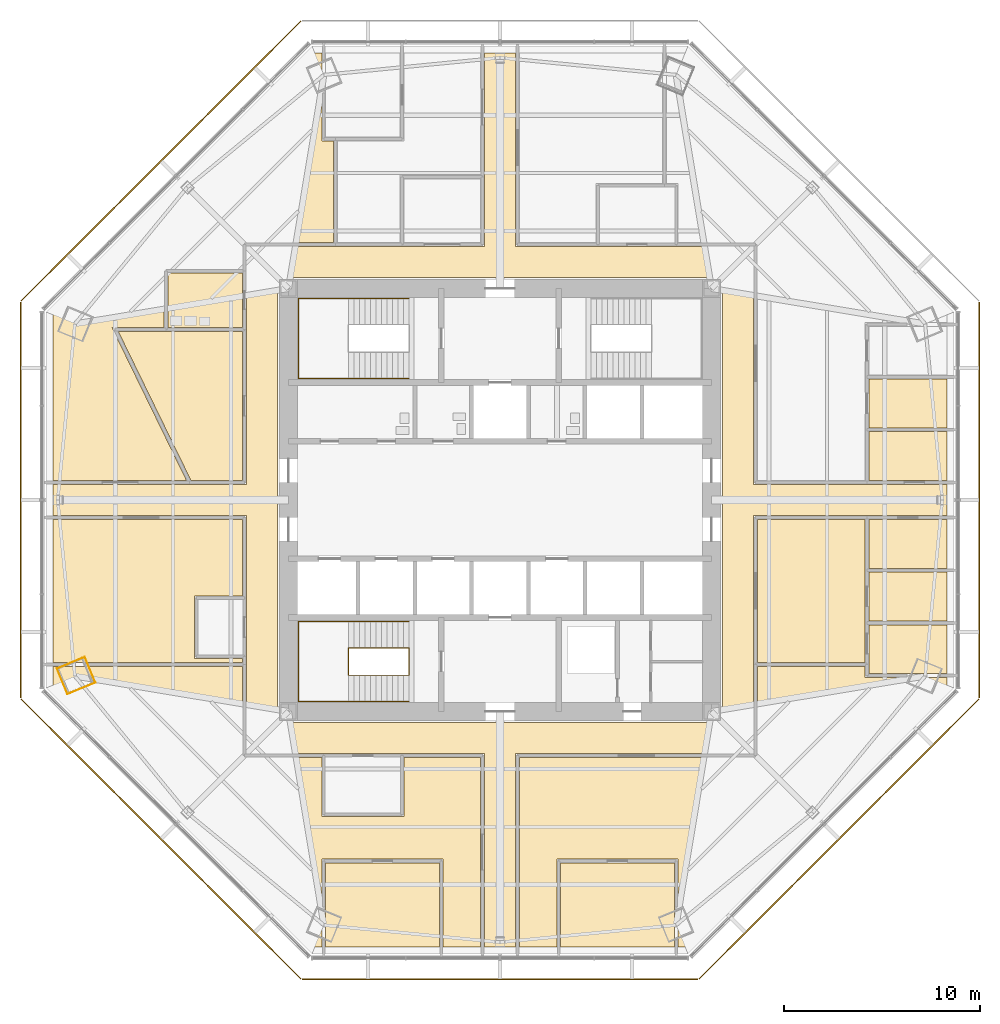
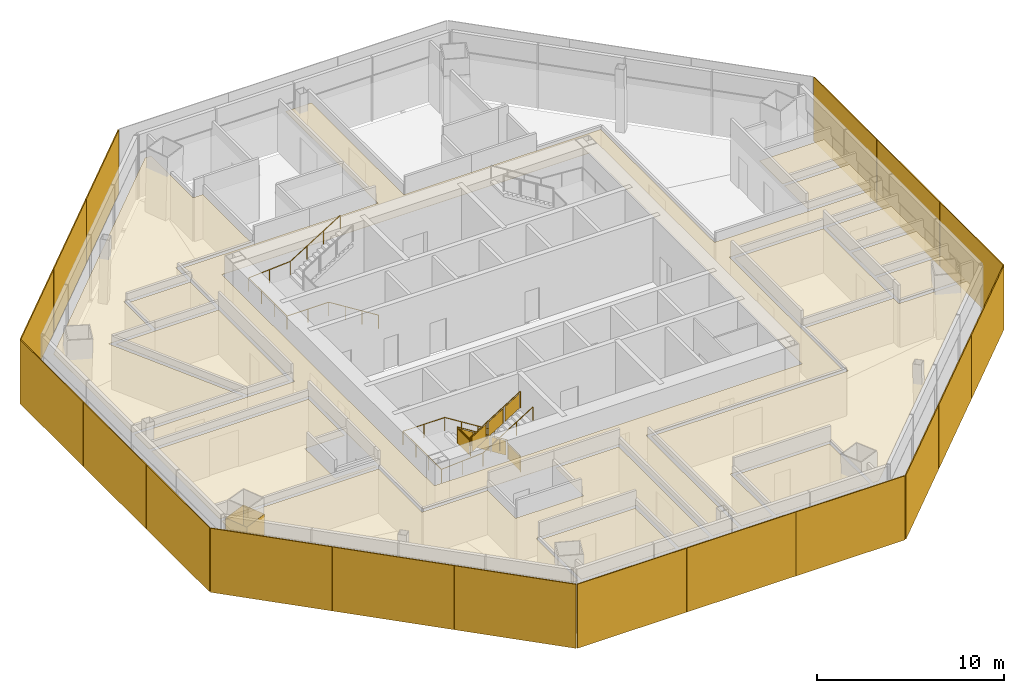
# One storey, part 13 of 15: 18 shading devices, 16 coverings, 3 railings.
"""IFC4 building model written with IfcOpenShell, lengths in metres."""

import ifcopenshell
import ifcopenshell.guid

model = None  # the IFC model being written
_history = None  # IfcOwnerHistory: only IFC2X3 demands one
_inside = {}  # id of a spatial element -> (the spatial element, [elements in it])
_under = {}  # id of a project, library or spatial element -> (it, [spatial elements below it])
_declared = {}  # id of a project -> (the project, [libraries it declares])
_typed = {}  # id of a type object -> (the type object, [elements of that type])
_made_of = {}  # id of a material, layer set ... -> (it, [elements and type objects made of it])


def new_model(schema):
    """Start an empty IFC model of exactly this schema.

    Asked for "IFC4X3", IfcOpenShell would pick the latest addendum, in which some entities
    have other attributes; the version numbers below select the first issue.
    IFC2X3 requires an IfcOwnerHistory on every rooted entity: one is made here for all.
    """
    global model, _history
    if schema == "IFC4X3":
        model = ifcopenshell.file(schema_version=(4, 3, 0, 0))
    else:
        model = ifcopenshell.file(schema=schema)
    _inside.clear()
    _under.clear()
    _declared.clear()
    _typed.clear()
    _made_of.clear()
    _history = None
    if model.schema == "IFC2X3":
        org = make("IfcOrganization", Name="unknown")
        user = make(
            "IfcPersonAndOrganization",
            ThePerson=make("IfcPerson", FamilyName="unknown"),
            TheOrganization=org,
        )
        app = make(
            "IfcApplication",
            ApplicationDeveloper=org,
            Version="unknown",
            ApplicationFullName="unknown",
            ApplicationIdentifier="unknown",
        )
        _history = make(
            "IfcOwnerHistory",
            OwningUser=user,
            OwningApplication=app,
            ChangeAction="ADDED",
            CreationDate=0,
        )
    return model


def make(cls, **values):
    """One entity of the class cls with the attributes given. An attribute that is None is left unset."""
    return model.create_entity(
        cls, **{name: value for name, value in values.items() if value is not None}
    )


def rooted(cls, **values):
    """An entity with a GlobalId (a new one), such as an element, a storey or a relation."""
    return make(cls, GlobalId=ifcopenshell.guid.new(), OwnerHistory=_history, **values)


def si_unit(unit_type, name, prefix=None):
    """IfcSIUnit, for example si_unit("LENGTHUNIT", "METRE", prefix="MILLI")."""
    return make("IfcSIUnit", UnitType=unit_type, Prefix=prefix, Name=name)


def assignment(units):
    """IfcUnitAssignment: the units of a project."""
    return None if units is None else make("IfcUnitAssignment", Units=units)


def point(xyz):
    """IfcCartesianPoint."""
    return None if xyz is None else make("IfcCartesianPoint", Coordinates=xyz)


def direction(xyz):
    """IfcDirection."""
    return None if xyz is None else make("IfcDirection", DirectionRatios=xyz)


def frame(location, z_axis=None, x_axis=None):
    """IfcAxis2Placement3D, a coordinate frame: its origin and axes. An axis left out is left unset."""
    return make(
        "IfcAxis2Placement3D",
        Location=point(location),
        Axis=direction(z_axis),
        RefDirection=direction(x_axis),
    )


def frame_2d(location, x_axis=None):
    """IfcAxis2Placement2D, a coordinate frame in the plane: its origin and x axis."""
    return make(
        "IfcAxis2Placement2D", Location=point(location), RefDirection=direction(x_axis)
    )


def origin():
    """The frame at (0, 0, 0) with its axes left unset."""
    return frame((0.0, 0.0, 0.0))


def origin_2d():
    """The frame at (0, 0) in the plane with its x axis left unset."""
    return frame_2d((0.0, 0.0))


def place(relative_to, where):
    """IfcLocalPlacement: puts the frame where relative to a parent placement (None: the world)."""
    return make(
        "IfcLocalPlacement", PlacementRelTo=relative_to, RelativePlacement=where
    )


def context(
    kind, dimensions, precision=None, world=None, true_north=None, identifier=None
):
    """IfcGeometricRepresentationContext, for example the 3D "Model" context."""
    return make(
        "IfcGeometricRepresentationContext",
        ContextIdentifier=identifier,
        ContextType=kind,
        CoordinateSpaceDimension=dimensions,
        Precision=precision,
        WorldCoordinateSystem=world,
        TrueNorth=true_north,
    )


def subcontext(parent, identifier, kind, view, scale=None):
    """IfcGeometricRepresentationSubContext, for example "Body" below "Model"."""
    return make(
        "IfcGeometricRepresentationSubContext",
        ContextIdentifier=identifier,
        ContextType=kind,
        ParentContext=parent,
        TargetScale=scale,
        TargetView=view,
    )


def project(units=None, contexts=None):
    """IfcProject with its units and contexts."""
    return rooted(
        "IfcProject",
        Name="project",
        RepresentationContexts=contexts,
        UnitsInContext=assignment(units),
    )


def spatial(cls, under=None, at=None, **own):
    """A site, building, storey or space (cls), placed at a placement, below another one or the project."""
    s = rooted(cls, ObjectPlacement=at, **own)
    if under is not None:
        _under.setdefault(under.id(), (under, []))[1].append(s)
    return s


def polyline(points):
    """IfcPolyline through the points."""
    return make("IfcPolyline", Points=[point(p) for p in points])


def profile(cls, at=None, kind="AREA", **sizes):
    """A parametric profile (cls). Its sizes go by their IFC names, for example OverallWidth=200.0."""
    return make(cls, ProfileType=kind, Position=at, **sizes)


def rectangle(**sizes):
    """IfcRectangleProfileDef."""
    return profile("IfcRectangleProfileDef", **sizes)


def circle(**sizes):
    """IfcCircleProfileDef."""
    return profile("IfcCircleProfileDef", **sizes)


def outline(outer, holes=None, kind="AREA"):
    """IfcArbitraryClosedProfileDef: a profile drawn as a closed curve; with holes, ...WithVoids."""
    if holes is None:
        return make("IfcArbitraryClosedProfileDef", ProfileType=kind, OuterCurve=outer)
    return make(
        "IfcArbitraryProfileDefWithVoids",
        ProfileType=kind,
        OuterCurve=outer,
        InnerCurves=holes,
    )


def extrude(swept, where, along, depth):
    """IfcExtrudedAreaSolid: the profile swept, set in the frame where, extruded along a direction by depth."""
    return make(
        "IfcExtrudedAreaSolid",
        SweptArea=swept,
        Position=where,
        ExtrudedDirection=direction(along),
        Depth=depth,
    )


def shape(context_of_items, identifier, shape_type, items):
    """IfcShapeRepresentation: the items that make up one representation, for example the "Body"."""
    return make(
        "IfcShapeRepresentation",
        ContextOfItems=context_of_items,
        RepresentationIdentifier=identifier,
        RepresentationType=shape_type,
        Items=items,
    )


def source(mapping_origin, context_of_items, identifier, shape_type, items):
    """IfcRepresentationMap: a shape defined once, which mapped items show again and again."""
    return make(
        "IfcRepresentationMap",
        MappingOrigin=mapping_origin,
        MappedRepresentation=shape(context_of_items, identifier, shape_type, items),
    )


def transform(
    local_origin,
    x_axis=None,
    y_axis=None,
    z_axis=None,
    scale=None,
    scale2=None,
    scale3=None,
    uniform=True,
):
    """IfcCartesianTransformationOperator3D, or its non-uniform kind. x_axis, y_axis, z_axis: its Axis1, 2, 3."""
    if uniform:
        return make(
            "IfcCartesianTransformationOperator3D",
            Axis1=direction(x_axis),
            Axis2=direction(y_axis),
            LocalOrigin=point(local_origin),
            Scale=scale,
            Axis3=direction(z_axis),
        )
    return make(
        "IfcCartesianTransformationOperator3DnonUniform",
        Axis1=direction(x_axis),
        Axis2=direction(y_axis),
        LocalOrigin=point(local_origin),
        Scale=scale,
        Axis3=direction(z_axis),
        Scale2=scale2,
        Scale3=scale3,
    )


def mapped(mapping_source, mapping_target):
    """IfcMappedItem: shows the shape of a source again, moved by a transform."""
    return make(
        "IfcMappedItem", MappingSource=mapping_source, MappingTarget=mapping_target
    )


def material(Name=None, Category=None):
    """IfcMaterial."""
    return make("IfcMaterial", Name=Name, Category=Category)


def layer(
    of_material, thickness, ventilated=None, Name=None, Category=None, Priority=None
):
    """IfcMaterialLayer: one layer of a wall or slab, of a material (None: an air gap)."""
    return make(
        "IfcMaterialLayer",
        Material=of_material,
        LayerThickness=thickness,
        IsVentilated=ventilated,
        Name=Name,
        Category=Category,
        Priority=Priority,
    )


def layer_set(layers, Name=None):
    """IfcMaterialLayerSet."""
    return make("IfcMaterialLayerSet", MaterialLayers=layers, LayerSetName=Name)


def made_of(thing, what):
    """Note that an element or type object is made of a material, layer set ...; save() writes the relation."""
    if what is not None:
        _made_of.setdefault(what.id(), (what, []))[1].append(thing)
    return thing


def type_object(cls, material=None, **own):
    """A type object (cls), such as IfcWallType, which elements share."""
    return made_of(rooted(cls, **own), material)


def type_shapes(of_type, sources):
    """Give a type object the sources (RepresentationMaps) that its elements show as mapped items."""
    of_type.RepresentationMaps = sources


def element(
    cls,
    number,
    at=None,
    inside=None,
    cuts=None,
    type_object=None,
    material=None,
    context=None,
    identifier="Body",
    shape_type=None,
    held_by="IfcProductDefinitionShape",
    body=None,
    shapes=None,
    **own,
):
    """One element of the class cls, such as IfcWall. Its Tag is "e" and its number.

    at: its placement. inside: the storey or other place that contains it. cuts: it is an
    opening in that element (IfcRelVoidsElement). A single representation is given by context,
    identifier, shape_type and body (its items); several are given by shapes. held_by: the class
    of the entity that holds the representations. save() writes the other relations.
    """
    e = rooted(cls, Tag="e%d" % number, ObjectPlacement=at, **own)
    if body is not None:
        shapes = [shape(context, identifier, shape_type, body)]
    if shapes is not None:
        e.Representation = make(held_by, Representations=shapes)
    if inside is not None:
        _inside.setdefault(inside.id(), (inside, []))[1].append(e)
    if cuts is not None:
        rooted(
            "IfcRelVoidsElement", RelatingBuildingElement=cuts, RelatedOpeningElement=e
        )
    if type_object is not None:
        _typed.setdefault(type_object.id(), (type_object, []))[1].append(e)
    return made_of(e, material)


def aggregate(whole, parts):
    """IfcRelAggregates: a whole, such as a stair, and the parts it consists of."""
    return rooted("IfcRelAggregates", RelatingObject=whole, RelatedObjects=parts)


def save(model, path):
    """Write the relations noted so far, then the file.

    IfcRelAggregates (storeys below a building ...), IfcRelContainedInSpatialStructure (elements
    in a storey), IfcRelDefinesByType, IfcRelAssociatesMaterial and IfcRelDeclares: one each for
    every whole, place, type object, material and project.
    """
    for whole, parts in _under.values():
        aggregate(whole, parts)
    for where, things in _inside.values():
        rooted(
            "IfcRelContainedInSpatialStructure",
            RelatedElements=things,
            RelatingStructure=where,
        )
    for kind, things in _typed.values():
        rooted("IfcRelDefinesByType", RelatedObjects=things, RelatingType=kind)
    for what, things in _made_of.values():
        rooted("IfcRelAssociatesMaterial", RelatedObjects=things, RelatingMaterial=what)
    for by, libraries in _declared.values():
        rooted("IfcRelDeclares", RelatingContext=by, RelatedDefinitions=libraries)
    model.write(path)


model = new_model("IFC4")

# Units and contexts
model_context = context("Model", 3, precision=1e-05, world=origin(), true_north=direction((0.0, 1.0)))
body_context = subcontext(model_context, "Body", "Model", "MODEL_VIEW")
ifc_project = project(units=[si_unit("LENGTHUNIT", "METRE"), si_unit("AREAUNIT", "SQUARE_METRE"), si_unit("VOLUMEUNIT", "CUBIC_METRE"), si_unit("PLANEANGLEUNIT", "RADIAN"), si_unit("MASSUNIT", "GRAM", prefix="KILO")], contexts=[model_context])

# Site, building, storey
site_placement = place(None, origin())
site = spatial("IfcSite", under=ifc_project, at=site_placement, CompositionType="ELEMENT")
building_placement = place(site_placement, origin())
building = spatial("IfcBuilding", under=site, at=building_placement, Name="Mashrafa Tower", CompositionType="ELEMENT")
storey_placement = place(building_placement, frame((0.0, 0.0, 163.800048828125)))
storey = spatial("IfcBuildingStorey", under=building, at=storey_placement, Name="L37", CompositionType="ELEMENT", Elevation=163.800048828125)

# Covering
ifc_material_1 = material(Name="Gypsum board")
ifc_layer_1 = layer(ifc_material_1, 0.014892578125)
ifc_layer_set_1 = layer_set([ifc_layer_1], Name="Column casing plasterboard 15")
covering_type_1 = type_object("IfcCoveringType", Name="Column casing plasterboard 15", PredefinedType="CLADDING", material=ifc_layer_set_1)
covering_1_placement = place(storey_placement, origin())
element("IfcCovering", 1, at=covering_1_placement, inside=storey, type_object=covering_type_1, Name="Column casing L37-002", PredefinedType="CLADDING", context=body_context, shape_type="SweptSolid", body=[
    extrude(outline(polyline([(-22.63720703125, -8.602783203125), (-21.329345703125, -8.06103515625), (-21.19677734375, -8.006103515625), (-20.6494140625, -9.3271484375), (-21.95751953125, -9.868896484375), (-22.090087890625, -9.923828125), (-22.63720703125, -8.602783203125)]), holes=[polyline([(-21.963134765625, -9.85498046875), (-20.669189453125, -9.319091796875), (-21.204833984375, -8.025634765625), (-21.32373046875, -8.074951171875), (-22.61767578125, -8.61083984375), (-22.08203125, -9.904296875), (-21.963134765625, -9.85498046875)])]), origin(), (0.0, 0.0, 1.0), 3.097900390625),
])

# Railings
ifc_material_2 = material(Name="Steel guard with glass infill", Category="steel")
railing_type_1 = type_object("IfcRailingType", Name="Stair guard 1100", PredefinedType="GUARDRAIL", material=ifc_material_2)
railing_1_placement = place(storey_placement, frame((-4.64990234375, -8.949951171875, 0.0)))
element("IfcRailing", 2, at=railing_1_placement, inside=storey, type_object=railing_type_1, Name="Stair S3 guard L37", PredefinedType="GUARDRAIL", context=body_context, shape_type="SweptSolid", body=[
    extrude(circle(Radius=0.02392578125, at=origin_2d()), frame((0.0, 0.0, 1.076171875), z_axis=(0.0, 1.0, 0.0), x_axis=(-1.0, 0.0, 0.0)), (0.0, 0.0, 1.0), 1.39990234375),
    extrude(circle(Radius=0.02392578125, at=origin_2d()), frame((0.0, 1.39990234375, 1.076171875), z_axis=(0.0, 0.0, 1.0), x_axis=(1.0, 0.0, 0.0)), (0.0, 0.0, 1.0), 0.175048828125),
    extrude(circle(Radius=0.02392578125, at=origin_2d()), frame((0.0, 1.39990234375, 1.2509765625), z_axis=(-0.848028513186, 0.0, 0.529950602248), x_axis=(0.0, -1.0, 0.0)), (0.0, 0.0, 1.0), 3.632080078125),
    extrude(circle(Radius=0.02392578125, at=origin_2d()), frame((-3.080078125, 1.39990234375, 3.17578125), z_axis=(0.0, -1.0, 0.0), x_axis=(1.0, 0.0, 0.0)), (0.0, 0.0, 1.0), 1.39990234375),
    extrude(circle(Radius=0.02392578125, at=origin_2d()), frame((-3.080078125, 0.0, 3.17578125), z_axis=(0.0, 0.0, 1.0), x_axis=(1.0, 0.0, 0.0)), (0.0, 0.0, 1.0), 0.175048828125),
    extrude(circle(Radius=0.02392578125, at=origin_2d()), frame((-3.080078125, 0.0, 3.35107421875), z_axis=(0.847998304005, 0.0, 0.529998940003), x_axis=(0.0, 1.0, 0.0)), (0.0, 0.0, 1.0), 3.632080078125),
    extrude(circle(Radius=0.02099609375, at=origin_2d()), origin(), (0.0, 0.0, 1.0), 1.052001953125),
    extrude(circle(Radius=0.02099609375, at=origin_2d()), frame((0.0, 1.39990234375, 0.0)), (0.0, 0.0, 1.0), 1.052001953125),
    extrude(circle(Radius=0.02099609375, at=origin_2d()), frame((0.0, 1.39990234375, 0.175048828125)), (0.0, 0.0, 1.0), 1.052001953125),
    extrude(circle(Radius=0.02099609375, at=origin_2d()), frame((-1.026611328125, 1.39990234375, 0.816650390625)), (0.0, 0.0, 1.0), 1.052001953125),
    extrude(circle(Radius=0.02099609375, at=origin_2d()), frame((-2.053466796875, 1.39990234375, 1.458251953125)), (0.0, 0.0, 1.0), 1.052001953125),
    extrude(circle(Radius=0.02099609375, at=origin_2d()), frame((-3.080078125, 1.39990234375, 2.099853515625)), (0.0, 0.0, 1.0), 1.052001953125),
    extrude(circle(Radius=0.02099609375, at=origin_2d()), frame((-3.080078125, 0.0, 2.099853515625)), (0.0, 0.0, 1.0), 1.052001953125),
    extrude(circle(Radius=0.02099609375, at=origin_2d()), frame((-3.080078125, 0.0, 2.27490234375)), (0.0, 0.0, 1.0), 1.052001953125),
    extrude(circle(Radius=0.02099609375, at=origin_2d()), frame((-2.053466796875, 0.0, 2.91650390625)), (0.0, 0.0, 1.0), 1.052001953125),
    extrude(circle(Radius=0.02099609375, at=origin_2d()), frame((-1.026611328125, 0.0, 3.558349609375)), (0.0, 0.0, 1.0), 1.052001953125),
    extrude(circle(Radius=0.02099609375, at=origin_2d()), frame((0.0, 0.0, 4.199951171875)), (0.0, 0.0, 1.0), 1.052001953125),
    extrude(outline(polyline([(0.071044921875, 0.050048828125), (1.328857421875, 0.050048828125), (1.328857421875, 1.001953125), (0.071044921875, 1.001953125), (0.071044921875, 0.050048828125)])), frame((0.006103515625, 0.0, 0.0), z_axis=(1.0, 0.0, 0.0), x_axis=(0.0, 1.0, 0.0)), (0.0, 0.0, 1.0), 0.011962890625),
    extrude(outline(polyline([(0.071044921875, 0.094482421875), (0.955810546875, 0.647216796875), (0.955810546875, 1.59912109375), (0.071044921875, 1.04638671875), (0.071044921875, 0.094482421875)])), frame((0.0, 1.406005859375, 0.175048828125), z_axis=(0.0, 1.0, 0.0), x_axis=(-1.0, 0.0, 0.0)), (0.0, 0.0, 1.0), 0.011962890625),
    extrude(outline(polyline([(1.09765625, 0.736083984375), (1.982421875, 1.288818359375), (1.982421875, 2.24072265625), (1.09765625, 1.68798828125), (1.09765625, 0.736083984375)])), frame((0.0, 1.406005859375, 0.175048828125), z_axis=(0.0, 1.0, 0.0), x_axis=(-1.0, 0.0, 0.0)), (0.0, 0.0, 1.0), 0.011962890625),
    extrude(outline(polyline([(2.124267578125, 1.377685546875), (3.009033203125, 1.930419921875), (3.009033203125, 2.88232421875), (2.124267578125, 2.32958984375), (2.124267578125, 1.377685546875)])), frame((0.0, 1.406005859375, 0.175048828125), z_axis=(0.0, 1.0, 0.0), x_axis=(-1.0, 0.0, 0.0)), (0.0, 0.0, 1.0), 0.011962890625),
    extrude(outline(polyline([(0.071044921875, 0.050048828125), (1.328857421875, 0.050048828125), (1.328857421875, 1.001953125), (0.071044921875, 1.001953125), (0.071044921875, 0.050048828125)])), frame((-3.086181640625, 1.39990234375, 2.099853515625), z_axis=(-1.0, 0.0, 0.0), x_axis=(0.0, -1.0, 0.0)), (0.0, 0.0, 1.0), 0.011962890625),
    extrude(outline(polyline([(0.071044921875, 0.094482421875), (0.955810546875, 0.647216796875), (0.955810546875, 1.599365234375), (0.071044921875, 1.04638671875), (0.071044921875, 0.094482421875)])), frame((-3.080078125, -0.006103515625, 2.27490234375), z_axis=(0.0, -1.0, 0.0), x_axis=(1.0, 0.0, 0.0)), (0.0, 0.0, 1.0), 0.011962890625),
    extrude(outline(polyline([(1.09765625, 0.736083984375), (1.982421875, 1.2890625), (1.982421875, 2.240966796875), (1.09765625, 1.68798828125), (1.09765625, 0.736083984375)])), frame((-3.080078125, -0.006103515625, 2.27490234375), z_axis=(0.0, -1.0, 0.0), x_axis=(1.0, 0.0, 0.0)), (0.0, 0.0, 1.0), 0.011962890625),
    extrude(outline(polyline([(2.124267578125, 1.377685546875), (3.009033203125, 1.9306640625), (3.009033203125, 2.882568359375), (2.124267578125, 2.329833984375), (2.124267578125, 1.377685546875)])), frame((-3.080078125, -0.006103515625, 2.27490234375), z_axis=(0.0, -1.0, 0.0), x_axis=(1.0, 0.0, 0.0)), (0.0, 0.0, 1.0), 0.011962890625),
])
ifc_material_3 = material(Name="Steel", Category="steel")
railing_type_2 = type_object("IfcRailingType", Name="Stair handrail 900", PredefinedType="HANDRAIL", material=ifc_material_3)
railing_2_placement = place(storey_placement, frame((-4.64990234375, 6.199951171875, 0.175048828125)))
element("IfcRailing", 3, at=railing_2_placement, inside=storey, type_object=railing_type_2, Name="Stair S1 handrail L37", PredefinedType="HANDRAIL", context=body_context, shape_type="SweptSolid", body=[
    extrude(circle(Radius=0.02392578125, at=origin_2d()), frame((0.0, 0.0, 0.8759765625), z_axis=(-0.848028513186, 0.0, 0.529950602248), x_axis=(0.0, -1.0, 0.0)), (0.0, 0.0, 1.0), 3.632080078125),
    extrude(circle(Radius=0.02392578125, at=origin_2d()), frame((-3.080078125, 0.0, 2.80078125), z_axis=(-1.0, 0.0, 0.0), x_axis=(0.0, -1.0, 0.0)), (0.0, 0.0, 1.0), 2.570068359375),
    extrude(circle(Radius=0.02392578125, at=origin_2d()), frame((-5.650146484375, 0.0, 2.80078125), z_axis=(0.0, 1.0, 0.0), x_axis=(-1.0, 0.0, 0.0)), (0.0, 0.0, 1.0), 4.10009765625),
    extrude(circle(Radius=0.02392578125, at=origin_2d()), frame((-5.650146484375, 4.10009765625, 2.80078125), z_axis=(0.997688514158, 0.0, 0.067953136188), x_axis=(0.0, 1.0, 0.0)), (0.0, 0.0, 1.0), 2.575927734375),
    extrude(circle(Radius=0.02392578125, at=origin_2d()), frame((-3.080078125, 4.10009765625, 2.9755859375), z_axis=(0.847998304005, 0.0, 0.529998940003), x_axis=(0.0, 1.0, 0.0)), (0.0, 0.0, 1.0), 3.632080078125),
    extrude(circle(Radius=0.02099609375, at=origin_2d()), origin(), (0.0, 0.0, 1.0), 0.851806640625),
    extrude(circle(Radius=0.02099609375, at=origin_2d()), frame((-1.026611328125, 0.0, 0.6416015625)), (0.0, 0.0, 1.0), 0.851806640625),
    extrude(circle(Radius=0.02099609375, at=origin_2d()), frame((-2.053466796875, 0.0, 1.283203125)), (0.0, 0.0, 1.0), 0.851806640625),
    extrude(circle(Radius=0.02099609375, at=origin_2d()), frame((-3.080078125, 0.0, 1.9248046875)), (0.0, 0.0, 1.0), 0.851806640625),
    extrude(circle(Radius=0.02099609375, at=origin_2d()), frame((-4.365234375, 0.0, 1.9248046875)), (0.0, 0.0, 1.0), 0.851806640625),
    extrude(circle(Radius=0.02099609375, at=origin_2d()), frame((-5.650146484375, 0.0, 1.9248046875)), (0.0, 0.0, 1.0), 0.851806640625),
    extrude(circle(Radius=0.02099609375, at=origin_2d()), frame((-5.650146484375, 1.36669921875, 1.9248046875)), (0.0, 0.0, 1.0), 0.851806640625),
    extrude(circle(Radius=0.02099609375, at=origin_2d()), frame((-5.650146484375, 2.7333984375, 1.9248046875)), (0.0, 0.0, 1.0), 0.851806640625),
    extrude(circle(Radius=0.02099609375, at=origin_2d()), frame((-5.650146484375, 4.10009765625, 1.9248046875)), (0.0, 0.0, 1.0), 0.851806640625),
    extrude(circle(Radius=0.02099609375, at=origin_2d()), frame((-4.365234375, 4.10009765625, 2.01220703125)), (0.0, 0.0, 1.0), 0.851806640625),
    extrude(circle(Radius=0.02099609375, at=origin_2d()), frame((-3.080078125, 4.10009765625, 2.099853515625)), (0.0, 0.0, 1.0), 0.851806640625),
    extrude(circle(Radius=0.02099609375, at=origin_2d()), frame((-2.053466796875, 4.10009765625, 2.741455078125)), (0.0, 0.0, 1.0), 0.851806640625),
    extrude(circle(Radius=0.02099609375, at=origin_2d()), frame((-1.026611328125, 4.10009765625, 3.38330078125)), (0.0, 0.0, 1.0), 0.851806640625),
    extrude(circle(Radius=0.02099609375, at=origin_2d()), frame((0.0, 4.10009765625, 4.02490234375)), (0.0, 0.0, 1.0), 0.851806640625),
])
railing_3_placement = place(storey_placement, frame((-4.64990234375, -6.199951171875, 0.175048828125)))
element("IfcRailing", 4, at=railing_3_placement, inside=storey, type_object=railing_type_2, Name="Stair S3 handrail L37", PredefinedType="HANDRAIL", context=body_context, shape_type="SweptSolid", body=[
    extrude(circle(Radius=0.02392578125, at=origin_2d()), frame((0.0, 0.0, 0.8759765625), z_axis=(-0.848028513186, 0.0, 0.529950602248), x_axis=(0.0, -1.0, 0.0)), (0.0, 0.0, 1.0), 3.632080078125),
    extrude(circle(Radius=0.02392578125, at=origin_2d()), frame((-3.080078125, 0.0, 2.80078125), z_axis=(-1.0, 0.0, 0.0), x_axis=(0.0, -1.0, 0.0)), (0.0, 0.0, 1.0), 2.570068359375),
    extrude(circle(Radius=0.02392578125, at=origin_2d()), frame((-5.650146484375, 0.0, 2.80078125), z_axis=(0.0, -1.0, 0.0), x_axis=(1.0, 0.0, 0.0)), (0.0, 0.0, 1.0), 4.10009765625),
    extrude(circle(Radius=0.02392578125, at=origin_2d()), frame((-5.650146484375, -4.10009765625, 2.80078125), z_axis=(0.997688514158, 0.0, 0.067953136188), x_axis=(0.0, 1.0, 0.0)), (0.0, 0.0, 1.0), 2.575927734375),
    extrude(circle(Radius=0.02392578125, at=origin_2d()), frame((-3.080078125, -4.10009765625, 2.9755859375), z_axis=(0.847998304005, 0.0, 0.529998940003), x_axis=(0.0, 1.0, 0.0)), (0.0, 0.0, 1.0), 3.632080078125),
    extrude(circle(Radius=0.02099609375, at=origin_2d()), origin(), (0.0, 0.0, 1.0), 0.851806640625),
    extrude(circle(Radius=0.02099609375, at=origin_2d()), frame((-1.026611328125, 0.0, 0.6416015625)), (0.0, 0.0, 1.0), 0.851806640625),
    extrude(circle(Radius=0.02099609375, at=origin_2d()), frame((-2.053466796875, 0.0, 1.283203125)), (0.0, 0.0, 1.0), 0.851806640625),
    extrude(circle(Radius=0.02099609375, at=origin_2d()), frame((-3.080078125, 0.0, 1.9248046875)), (0.0, 0.0, 1.0), 0.851806640625),
    extrude(circle(Radius=0.02099609375, at=origin_2d()), frame((-4.365234375, 0.0, 1.9248046875)), (0.0, 0.0, 1.0), 0.851806640625),
    extrude(circle(Radius=0.02099609375, at=origin_2d()), frame((-5.650146484375, 0.0, 1.9248046875)), (0.0, 0.0, 1.0), 0.851806640625),
    extrude(circle(Radius=0.02099609375, at=origin_2d()), frame((-5.650146484375, -1.36669921875, 1.9248046875)), (0.0, 0.0, 1.0), 0.851806640625),
    extrude(circle(Radius=0.02099609375, at=origin_2d()), frame((-5.650146484375, -2.7333984375, 1.9248046875)), (0.0, 0.0, 1.0), 0.851806640625),
    extrude(circle(Radius=0.02099609375, at=origin_2d()), frame((-5.650146484375, -4.10009765625, 1.9248046875)), (0.0, 0.0, 1.0), 0.851806640625),
    extrude(circle(Radius=0.02099609375, at=origin_2d()), frame((-4.365234375, -4.10009765625, 2.01220703125)), (0.0, 0.0, 1.0), 0.851806640625),
    extrude(circle(Radius=0.02099609375, at=origin_2d()), frame((-3.080078125, -4.10009765625, 2.099853515625)), (0.0, 0.0, 1.0), 0.851806640625),
    extrude(circle(Radius=0.02099609375, at=origin_2d()), frame((-2.053466796875, -4.10009765625, 2.741455078125)), (0.0, 0.0, 1.0), 0.851806640625),
    extrude(circle(Radius=0.02099609375, at=origin_2d()), frame((-1.026611328125, -4.10009765625, 3.38330078125)), (0.0, 0.0, 1.0), 0.851806640625),
    extrude(circle(Radius=0.02099609375, at=origin_2d()), frame((0.0, -4.10009765625, 4.02490234375)), (0.0, 0.0, 1.0), 0.851806640625),
])

# Coverings
ifc_material_4 = material(Name="Mineral fibre tile on suspension grid")
ifc_layer_2 = layer(ifc_material_4, 0.014892578125)
ifc_layer_set_2 = layer_set([ifc_layer_2], Name="Suspended ceiling mineral tile 15")
covering_type_2 = type_object("IfcCoveringType", Name="Suspended ceiling mineral tile 15", PredefinedType="CEILING", material=ifc_layer_set_2)
covering_2_placement = place(storey_placement, frame((0.0, 0.0, 2.89990234375)))
element("IfcCovering", 5, at=covering_2_placement, inside=storey, type_object=covering_type_2, Name="Ceiling Office Corridor L37", PredefinedType="CEILING", context=body_context, shape_type="SweptSolid", body=[
    extrude(outline(polyline([(-12.949951171875, -12.949951171875), (-12.949951171875, -0.800048828125), (-22.8310546875, -0.800048828125), (-22.8310546875, 0.800048828125), (-12.949951171875, 0.800048828125), (-12.949951171875, 12.949951171875), (-0.800048828125, 12.949951171875), (-0.800048828125, 22.8310546875), (0.800048828125, 22.8310546875), (0.800048828125, 12.949951171875), (12.949951171875, 12.949951171875), (12.949951171875, 0.800048828125), (22.8310546875, 0.800048828125), (22.8310546875, -0.800048828125), (12.949951171875, -0.800048828125), (12.949951171875, -12.949951171875), (0.800048828125, -12.949951171875), (0.800048828125, -22.8310546875), (-0.800048828125, -22.8310546875), (-0.800048828125, -12.949951171875), (-12.949951171875, -12.949951171875)]), holes=[polyline([(11.35009765625, 11.35009765625), (-11.35009765625, 11.35009765625), (-11.35009765625, -11.35009765625), (11.35009765625, -11.35009765625), (11.35009765625, 11.35009765625)])]), origin(), (0.0, 0.0, 1.0), 0.01513671875),
])
covering_3_placement = place(storey_placement, frame((0.0, 0.0, 2.89990234375)))
element("IfcCovering", 6, at=covering_3_placement, inside=storey, type_object=covering_type_2, Name="Ceiling Musallah Prayer Room 37", PredefinedType="CEILING", context=body_context, shape_type="SweptSolid", body=[
    extrude(outline(polyline([(-15.783203125, 1.0), (-19.489990234375, 8.60009765625), (-13.14990234375, 8.60009765625), (-13.14990234375, 1.0), (-15.783203125, 1.0)])), origin(), (0.0, 0.0, 1.0), 0.01513671875),
])
covering_4_placement = place(storey_placement, frame((0.0, 0.0, 2.89990234375)))
element("IfcCovering", 7, at=covering_4_placement, inside=storey, type_object=covering_type_2, Name="Ceiling Ablution Room L37", PredefinedType="CEILING", context=body_context, shape_type="SweptSolid", body=[
    extrude(outline(polyline([(-16.949951171875, 8.800048828125), (-16.949951171875, 11.60009765625), (-13.14990234375, 11.60009765625), (-13.14990234375, 8.800048828125), (-16.949951171875, 8.800048828125)])), origin(), (0.0, 0.0, 1.0), 0.01513671875),
])
covering_5_placement = place(storey_placement, frame((0.0, 0.0, 2.89990234375)))
element("IfcCovering", 8, at=covering_5_placement, inside=storey, type_object=covering_type_2, Name="Ceiling Office 37-2-SE2-1", PredefinedType="CEILING", context=body_context, shape_type="SweptSolid", body=[
    extrude(outline(polyline([(18.8310546875, -6.376953125), (22.8310546875, -6.376953125), (22.8310546875, -8.864990234375), (18.8310546875, -8.864990234375), (18.8310546875, -6.376953125)])), origin(), (0.0, 0.0, 1.0), 0.01513671875),
])
covering_6_placement = place(storey_placement, frame((0.0, 0.0, 2.89990234375)))
element("IfcCovering", 9, at=covering_6_placement, inside=storey, type_object=covering_type_2, Name="Ceiling Office 37-2-SE2-2", PredefinedType="CEILING", context=body_context, shape_type="SweptSolid", body=[
    extrude(outline(polyline([(18.8310546875, -3.68798828125), (22.8310546875, -3.68798828125), (22.8310546875, -6.177001953125), (18.8310546875, -6.177001953125), (18.8310546875, -3.68798828125)])), origin(), (0.0, 0.0, 1.0), 0.01513671875),
])
covering_7_placement = place(storey_placement, frame((0.0, 0.0, 2.89990234375)))
element("IfcCovering", 10, at=covering_7_placement, inside=storey, type_object=covering_type_2, Name="Ceiling Office 37-1-3", PredefinedType="CEILING", context=body_context, shape_type="SweptSolid", body=[
    extrude(outline(polyline([(18.8310546875, -1.0), (22.8310546875, -1.0), (22.8310546875, -3.488037109375), (18.8310546875, -3.488037109375), (18.8310546875, -1.0)])), origin(), (0.0, 0.0, 1.0), 0.01513671875),
])
covering_8_placement = place(storey_placement, frame((0.0, 0.0, 2.89990234375)))
element("IfcCovering", 11, at=covering_8_placement, inside=storey, type_object=covering_type_2, Name="Ceiling Office 37-2-1", PredefinedType="CEILING", context=body_context, shape_type="SweptSolid", body=[
    extrude(outline(polyline([(18.8310546875, 3.488037109375), (22.8310546875, 3.488037109375), (22.8310546875, 1.0), (18.8310546875, 1.0), (18.8310546875, 3.488037109375)])), origin(), (0.0, 0.0, 1.0), 0.01513671875),
])
covering_9_placement = place(storey_placement, frame((0.0, 0.0, 2.89990234375)))
element("IfcCovering", 12, at=covering_9_placement, inside=storey, type_object=covering_type_2, Name="Ceiling Office 37-1-NE1-1", PredefinedType="CEILING", context=body_context, shape_type="SweptSolid", body=[
    extrude(outline(polyline([(18.8310546875, 6.177001953125), (22.8310546875, 6.177001953125), (22.8310546875, 3.68798828125), (18.8310546875, 3.68798828125), (18.8310546875, 6.177001953125)])), origin(), (0.0, 0.0, 1.0), 0.01513671875),
])
covering_10_placement = place(storey_placement, frame((0.0, 0.0, 2.89990234375)))
element("IfcCovering", 13, at=covering_10_placement, inside=storey, type_object=covering_type_2, Name="Ceiling Meeting Room 37-2-SW1", PredefinedType="CEILING", context=body_context, shape_type="SweptSolid", body=[
    extrude(outline(polyline([(-8.89990234375, -18.531005859375), (-3.10009765625, -18.531005859375), (-3.10009765625, -22.8310546875), (-8.89990234375, -22.8310546875), (-8.89990234375, -18.531005859375)])), origin(), (0.0, 0.0, 1.0), 0.01513671875),
])
covering_11_placement = place(storey_placement, frame((0.0, 0.0, 2.89990234375)))
element("IfcCovering", 14, at=covering_11_placement, inside=storey, type_object=covering_type_2, Name="Ceiling Meeting Room 37-1-SE1", PredefinedType="CEILING", context=body_context, shape_type="SweptSolid", body=[
    extrude(outline(polyline([(3.10009765625, -18.531005859375), (8.89990234375, -18.531005859375), (8.89990234375, -22.8310546875), (3.10009765625, -22.8310546875), (3.10009765625, -18.531005859375)])), origin(), (0.0, 0.0, 1.0), 0.01513671875),
])
covering_12_placement = place(storey_placement, frame((0.0, 0.0, 2.89990234375)))
element("IfcCovering", 15, at=covering_12_placement, inside=storey, type_object=covering_type_2, Name="Ceiling Office Tenancy 37-3-NW1", PredefinedType="CEILING", context=body_context, shape_type="SweptSolid", body=[
    extrude(outline(polyline([(-22.8310546875, 1.0), (-22.8310546875, 9.456787109375), (-9.456787109375, 22.8310546875), (-9.10009765625, 22.8310546875), (-9.10009765625, 18.3310546875), (-8.5, 18.3310546875), (-8.5, 13.14990234375), (-13.14990234375, 13.14990234375), (-13.14990234375, 11.800048828125), (-17.14990234375, 11.800048828125), (-17.14990234375, 8.800048828125), (-19.81005859375, 8.800048828125), (-16.005615234375, 1.0), (-22.8310546875, 1.0)])), origin(), (0.0, 0.0, 1.0), 0.01513671875),
])
covering_13_placement = place(storey_placement, frame((0.0, 0.0, 2.89990234375)))
element("IfcCovering", 16, at=covering_13_placement, inside=storey, type_object=covering_type_2, Name="Ceiling Office Tenancy 37-2-SW1", PredefinedType="CEILING", context=body_context, shape_type="SweptSolid", body=[
    extrude(outline(polyline([(-1.0, -22.8310546875), (-2.89990234375, -22.8310546875), (-2.89990234375, -18.3310546875), (-9.10009765625, -18.3310546875), (-9.10009765625, -22.8310546875), (-9.456787109375, -22.8310546875), (-22.8310546875, -9.456787109375), (-22.8310546875, -8.5), (-13.14990234375, -8.5), (-13.14990234375, -13.14990234375), (-9.10009765625, -13.14990234375), (-9.10009765625, -16.14990234375), (-4.89990234375, -16.14990234375), (-4.89990234375, -13.14990234375), (-1.0, -13.14990234375), (-1.0, -22.8310546875)])), origin(), (0.0, 0.0, 1.0), 0.01513671875),
])
covering_14_placement = place(storey_placement, frame((0.0, 0.0, 2.89990234375)))
element("IfcCovering", 17, at=covering_14_placement, inside=storey, type_object=covering_type_2, Name="Ceiling Office Tenancy 37-3-SW2", PredefinedType="CEILING", context=body_context, shape_type="SweptSolid", body=[
    extrude(outline(polyline([(-13.14990234375, -8.300048828125), (-22.8310546875, -8.300048828125), (-22.8310546875, -1.0), (-13.14990234375, -1.0), (-13.14990234375, -4.89990234375), (-15.60009765625, -4.89990234375), (-15.60009765625, -8.10009765625), (-13.14990234375, -8.10009765625), (-13.14990234375, -8.300048828125)])), origin(), (0.0, 0.0, 1.0), 0.01513671875),
])
covering_15_placement = place(storey_placement, frame((0.0, 0.0, 2.89990234375)))
element("IfcCovering", 18, at=covering_15_placement, inside=storey, type_object=covering_type_2, Name="Ceiling Office Tenancy 37-1-SE1", PredefinedType="CEILING", context=body_context, shape_type="SweptSolid", body=[
    extrude(outline(polyline([(13.14990234375, -8.5), (18.631103515625, -8.5), (18.631103515625, -9.06494140625), (22.8310546875, -9.06494140625), (22.8310546875, -9.456787109375), (9.456787109375, -22.8310546875), (9.10009765625, -22.8310546875), (9.10009765625, -18.3310546875), (2.89990234375, -18.3310546875), (2.89990234375, -22.8310546875), (1.0, -22.8310546875), (1.0, -13.14990234375), (13.14990234375, -13.14990234375), (13.14990234375, -8.5)])), origin(), (0.0, 0.0, 1.0), 0.01513671875),
])
covering_16_placement = place(storey_placement, frame((0.0, 0.0, 2.89990234375)))
element("IfcCovering", 19, at=covering_16_placement, inside=storey, type_object=covering_type_2, Name="Ceiling Office Tenancy 37-2-SE2", PredefinedType="CEILING", context=body_context, shape_type="SweptSolid", body=[
    extrude(outline(polyline([(18.631103515625, -8.300048828125), (13.14990234375, -8.300048828125), (13.14990234375, -1.0), (18.631103515625, -1.0), (18.631103515625, -8.300048828125)])), origin(), (0.0, 0.0, 1.0), 0.01513671875),
])

# Shading devices
ifc_material_5 = material(Name="Perforated aluminium plate, eight-point star pattern", Category="aluminium")
ifc_layer_3 = layer(ifc_material_5, 0.06005859375)
ifc_layer_set_3 = layer_set([ifc_layer_3], Name="Mashrabiya screen panel office zone 2, 40 percent open")
shading_device_type = type_object("IfcShadingDeviceType", Name="Mashrabiya screen panel office zone 2, 40 percent open", PredefinedType="SHUTTER", material=ifc_layer_set_3)
shared_shape = source(origin(), body_context, "Body", "SweptSolid", [
    extrude(rectangle(XDim=6.725341796875, YDim=0.06005859375, at=origin_2d()), origin(), (0.0, 0.0, 1.0), 4.179931640625),
])
type_shapes(shading_device_type, [shared_shape])
for number, where, z_axis, x_axis, name in (
    (20, (24.48095703125, -6.745361328125, -0.14990234375), (0.0, 0.0, 1.0), (0.0, 1.0, 0.0), "Mashrabiya screen L37 east 1"),
    (21, (24.48095703125, 0.0, -0.14990234375), (0.0, 0.0, 1.0), (0.0, 1.0, 0.0), "Mashrabiya screen L37 east 2"),
    (22, (24.48095703125, 6.745361328125, -0.14990234375), (0.0, 0.0, 1.0), (0.0, 1.0, 0.0), "Mashrabiya screen L37 east 3"),
    (23, (-12.541015625, 22.080322265625, -0.14990234375), (0.0, 0.0, 1.0), (-0.707106781187, -0.707106781187, 0.0), "Mashrabiya screen L37 north-west 1"),
    (24, (-17.310791015625, 17.310791015625, -0.14990234375), (0.0, 0.0, 1.0), (-0.707106781187, -0.707106781187, 0.0), "Mashrabiya screen L37 north-west 2"),
    (25, (-22.080322265625, 12.541015625, -0.14990234375), (0.0, 0.0, 1.0), (-0.707106781187, -0.707106781187, 0.0), "Mashrabiya screen L37 north-west 3"),
    (26, (-24.48095703125, 6.745361328125, -0.14990234375), (0.0, 0.0, 1.0), (0.0, -1.0, 0.0), "Mashrabiya screen L37 west 1"),
    (27, (-24.48095703125, 0.0, -0.14990234375), (0.0, 0.0, 1.0), (0.0, -1.0, 0.0), "Mashrabiya screen L37 west 2"),
    (28, (-24.48095703125, -6.745361328125, -0.14990234375), (0.0, 0.0, 1.0), (0.0, -1.0, 0.0), "Mashrabiya screen L37 west 3"),
    (29, (-22.080322265625, -12.541015625, -0.14990234375), (0.0, 0.0, 1.0), (0.707106781187, -0.707106781187, 0.0), "Mashrabiya screen L37 south-west 1"),
    (30, (-17.310791015625, -17.310791015625, -0.14990234375), (0.0, 0.0, 1.0), (0.707106781187, -0.707106781187, 0.0), "Mashrabiya screen L37 south-west 2"),
    (31, (-12.541015625, -22.080322265625, -0.14990234375), (0.0, 0.0, 1.0), (0.707106781187, -0.707106781187, 0.0), "Mashrabiya screen L37 south-west 3"),
    (32, (-6.745361328125, -24.48095703125, -0.14990234375), (0.0, 0.0, 1.0), (1.0, 0.0, 0.0), "Mashrabiya screen L37 south 1"),
    (33, (0.0, -24.48095703125, -0.14990234375), (0.0, 0.0, 1.0), (1.0, 0.0, 0.0), "Mashrabiya screen L37 south 2"),
    (34, (6.745361328125, -24.48095703125, -0.14990234375), (0.0, 0.0, 1.0), (1.0, 0.0, 0.0), "Mashrabiya screen L37 south 3"),
    (35, (12.541015625, -22.080322265625, -0.14990234375), (0.0, 0.0, 1.0), (0.707106781187, 0.707106781187, 0.0), "Mashrabiya screen L37 south-east 1"),
    (36, (17.310791015625, -17.310791015625, -0.14990234375), (0.0, 0.0, 1.0), (0.707106781187, 0.707106781187, 0.0), "Mashrabiya screen L37 south-east 2"),
    (37, (22.080322265625, -12.541015625, -0.14990234375), (0.0, 0.0, 1.0), (0.707106781187, 0.707106781187, 0.0), "Mashrabiya screen L37 south-east 3"),
):
    element("IfcShadingDevice", number, at=place(storey_placement, frame(where, z_axis=z_axis, x_axis=x_axis)), inside=storey, type_object=shading_device_type, Name=name, PredefinedType="SHUTTER", context=body_context, shape_type="MappedRepresentation", body=[
        mapped(shared_shape, transform((0.0, 0.0, 0.0))),
    ])

save(model, "model.ifc")
